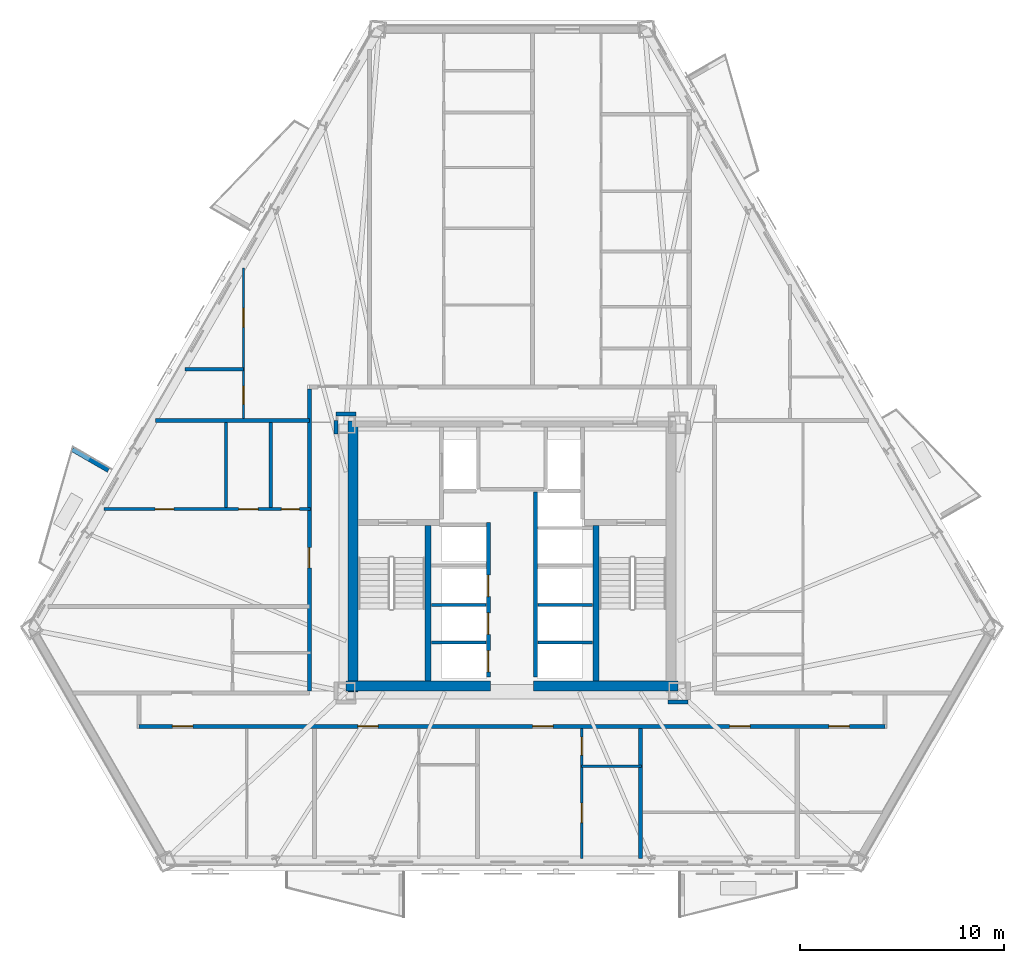
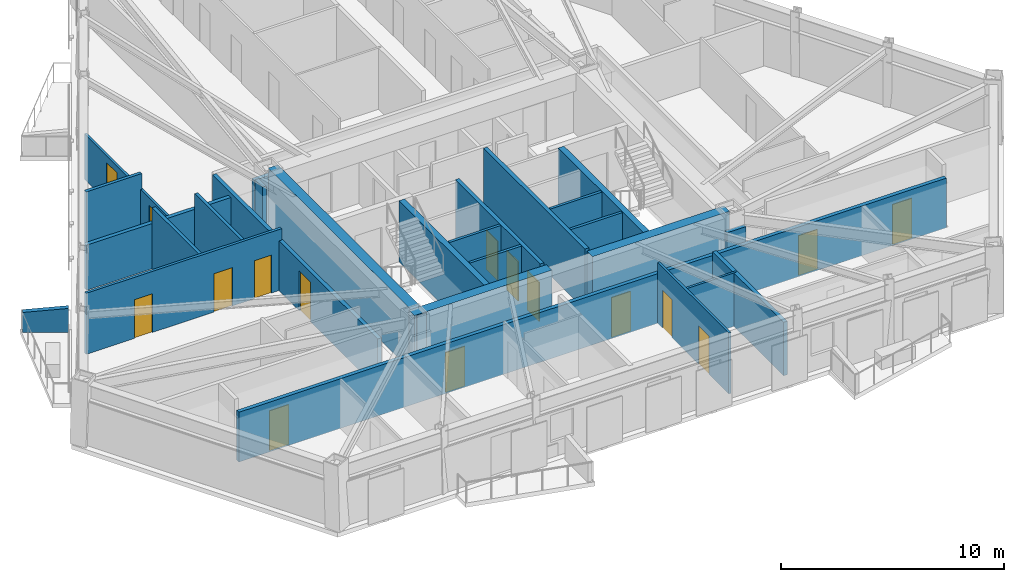
# One storey, part 3 of 10: 26 walls, 16 doors, 16 openings.
"""IFC4 building model written with IfcOpenShell, lengths in metres."""

from ifc_helpers import new_model, si_unit, direction, frame, frame_2d, origin, place, context, subcontext, project, spatial, polyline, rectangle, outline, extrude, material, layer, layer_set, type_object, element, fill, save


model = new_model("IFC4")

# Units and contexts
model_context = context("Model", 3, precision=1e-05, world=origin(), true_north=direction((0.0, 1.0)))
body_context = subcontext(model_context, "Body", "Model", "MODEL_VIEW")
ifc_project = project(units=[si_unit("LENGTHUNIT", "METRE"), si_unit("AREAUNIT", "SQUARE_METRE"), si_unit("VOLUMEUNIT", "CUBIC_METRE"), si_unit("PLANEANGLEUNIT", "RADIAN"), si_unit("MASSUNIT", "GRAM", prefix="KILO")], contexts=[model_context])

# Site, building, storey
site_placement = place(None, origin())
site = spatial("IfcSite", under=ifc_project, at=site_placement, CompositionType="ELEMENT")
building_placement = place(site_placement, origin())
building = spatial("IfcBuilding", under=site, at=building_placement, Name="Oramaril Tower", CompositionType="ELEMENT")
storey_placement = place(building_placement, frame((0.0, 0.0, 74.10009765625)))
storey = spatial("IfcBuildingStorey", under=building, at=storey_placement, Name="L19", CompositionType="ELEMENT", Elevation=74.10009765625)

# Walls
ifc_material_1 = material(Name="Concrete C40/50", Category="concrete")
ifc_layer_1 = layer(ifc_material_1, 0.22998046875)
ifc_layer_set_1 = layer_set([ifc_layer_1], Name="WT-PRP23")
wall_type_1 = type_object("IfcWallType", Name="WT-PRP23", PredefinedType="PARAPET", material=ifc_layer_set_1)
wall_1_placement = place(storey_placement, frame((17.69140625, 21.877685546875, 0.0), z_axis=(0.0, 0.0, 1.0), x_axis=(-0.866012356593, 0.500022597718, 0.0)))
element("IfcWall", 1, at=wall_1_placement, inside=storey, type_object=wall_type_1, Name="L19 Trapezoidal Balcony Frame Cheek L19-BAL-NW2-L", PredefinedType="PARAPET", context=body_context, shape_type="SweptSolid", body=[
    extrude(outline(polyline([(0.0, 0.0), (2.0419921875, 0.0), (2.0419921875, 1.099853515625), (0.0, 1.31982421875), (0.0, 0.0)])), frame((0.0, 0.114990234375, 0.0), z_axis=(0.0, -1.0, 0.0), x_axis=(1.0, 0.0, 0.0)), (0.0, 0.0, 1.0), 0.22998046875),
])
ifc_material_2 = material(Name="Acoustic Gypsum Board Partition")
ifc_layer_2 = layer(ifc_material_2, 0.1201171875)
ifc_layer_set_2 = layer_set([ifc_layer_2], Name="WT-PT12")
wall_type_2 = type_object("IfcWallType", Name="WT-PT12", PredefinedType="PARTITIONING", material=ifc_layer_set_2)
wall_2_placement = place(storey_placement, frame((40.919921875, 7.340087890625, 0.0), z_axis=(0.0, 0.0, 1.0), x_axis=(1.0, 0.0, 0.0)))
element("IfcWall", 2, at=wall_2_placement, inside=storey, type_object=wall_type_2, Name="L19 Interior Partition PT-12", PredefinedType="PARTITIONING", context=body_context, shape_type="SweptSolid", body=[
    extrude(rectangle(XDim=2.93017578125, YDim=0.1201171875, at=frame_2d((1.465087890625, 0.0))), origin(), (0.0, 0.0, 1.0), 2.92578125),
])

# Wall, openings, doors
wall_3_placement = place(storey_placement, frame((24.320068359375, 24.424072265625, 0.0), z_axis=(0.0, 0.0, 1.0), x_axis=(0.0, 1.0, 0.0)))
wall_3 = element("IfcWall", 3, at=wall_3_placement, inside=storey, type_object=wall_type_2, Name="L19 Interior Partition PT-12", PredefinedType="PARTITIONING", context=body_context, shape_type="SweptSolid", body=[
    extrude(rectangle(XDim=7.390625, YDim=0.1201171875, at=frame_2d((3.6953125, 0.0))), origin(), (0.0, 0.0, 1.0), 2.473876953125),
])
opening_1_placement = place(wall_3_placement, frame((0.700927734375, 0.0, 0.0)))
opening_1 = element("IfcOpeningElement", 4, at=opening_1_placement, cuts=wall_3, Name="Opening D-L19-18", PredefinedType="OPENING", context=body_context, shape_type="SweptSolid", body=[
    extrude(rectangle(XDim=0.8798828125, YDim=2.080078125, at=frame_2d((0.43994140625, 1.0400390625))), frame((0.0, 0.06005859375, 0.0), z_axis=(0.0, -1.0, 0.0), x_axis=(1.0, 0.0, 0.0)), (0.0, 0.0, 1.0), 0.1201171875),
])
opening_2_placement = place(wall_3_placement, frame((4.463134765625, 0.0, 0.0)))
opening_2 = element("IfcOpeningElement", 5, at=opening_2_placement, cuts=wall_3, Name="Opening D-L19-19", PredefinedType="OPENING", context=body_context, shape_type="SweptSolid", body=[
    extrude(rectangle(XDim=0.949951171875, YDim=2.10009765625, at=frame_2d((0.47509765625, 1.050048828125))), frame((0.0, 0.06005859375, 0.0), z_axis=(0.0, -1.0, 0.0), x_axis=(1.0, 0.0, 0.0)), (0.0, 0.0, 1.0), 0.1201171875),
])
ifc_material_3 = material(Name="FSC Brazilian Freijo Hardwood", Category="wood")
door_type_1 = type_object("IfcDoorType", Name="DT-BATH", OperationType="NOTDEFINED", PredefinedType="DOOR", material=ifc_material_3)
door_1_placement = place(opening_1_placement, origin())
door_1 = element("IfcDoor", 6, at=door_1_placement, inside=storey, type_object=door_type_1, Name="L19 Flat L19-U9 Bathroom Door D-L19-18", OperationType="SINGLE_SWING_RIGHT", OverallHeight=2.080078125, OverallWidth=0.8798828125, PredefinedType="DOOR", context=body_context, shape_type="SweptSolid", body=[
    extrude(rectangle(XDim=0.8798828125, YDim=2.080078125, at=frame_2d((0.43994140625, 1.0400390625))), frame((0.0, 0.02490234375, 0.0), z_axis=(0.0, -1.0, 0.0), x_axis=(1.0, 0.0, 0.0)), (0.0, 0.0, 1.0), 0.050048828125),
])
fill(opening_1, door_1)
ifc_material_4 = material(Name="FSC Brazilian Freijo Hardwood", Category="wood")
door_type_2 = type_object("IfcDoorType", Name="DT-STDY", OperationType="NOTDEFINED", PredefinedType="DOOR", material=ifc_material_4)
door_2_placement = place(opening_2_placement, origin())
door_2 = element("IfcDoor", 7, at=door_2_placement, inside=storey, type_object=door_type_2, Name="L19 Flat L19-U9 Kitchen Door D-L19-19", OperationType="SINGLE_SWING_LEFT", OverallHeight=2.10009765625, OverallWidth=0.949951171875, PredefinedType="DOOR", context=body_context, shape_type="SweptSolid", body=[
    extrude(rectangle(XDim=0.949951171875, YDim=2.10009765625, at=frame_2d((0.47509765625, 1.050048828125))), frame((0.0, 0.02490234375, 0.0), z_axis=(0.0, -1.0, 0.0), x_axis=(1.0, 0.0, 0.0)), (0.0, 0.0, 1.0), 0.050048828125),
])
fill(opening_2, door_2)

wall_4_placement = place(storey_placement, frame((40.919921875, 2.828369140625, 0.0), z_axis=(0.0, 0.0, 1.0), x_axis=(0.0, 1.0, 0.0)))
wall_4 = element("IfcWall", 8, at=wall_4_placement, inside=storey, type_object=wall_type_2, Name="L19 Interior Partition PT-12", PredefinedType="PARTITIONING", context=body_context, shape_type="SweptSolid", body=[
    extrude(rectangle(XDim=6.36767578125, YDim=0.1201171875, at=frame_2d((3.183837890625, 0.0))), origin(), (0.0, 0.0, 1.0), 3.33984375),
])
opening_3_placement = place(wall_4_placement, frame((1.753662109375, 0.0, 0.0)))
opening_3 = element("IfcOpeningElement", 9, at=opening_3_placement, cuts=wall_4, Name="Opening D-L19-30", PredefinedType="OPENING", context=body_context, shape_type="SweptSolid", body=[
    extrude(rectangle(XDim=0.949951171875, YDim=2.10009765625, at=frame_2d((0.47509765625, 1.050048828125))), frame((0.0, 0.06005859375, 0.0), z_axis=(0.0, -1.0, 0.0), x_axis=(1.0, 0.0, 0.0)), (0.0, 0.0, 1.0), 0.1201171875),
])
opening_4_placement = place(wall_4_placement, frame((5.06640625, 0.0, 0.0)))
opening_4 = element("IfcOpeningElement", 10, at=opening_4_placement, cuts=wall_4, Name="Opening D-L19-31", PredefinedType="OPENING", context=body_context, shape_type="SweptSolid", body=[
    extrude(rectangle(XDim=0.8798828125, YDim=2.080078125, at=frame_2d((0.43994140625, 1.0400390625))), frame((0.0, 0.06005859375, 0.0), z_axis=(0.0, -1.0, 0.0), x_axis=(1.0, 0.0, 0.0)), (0.0, 0.0, 1.0), 0.1201171875),
])
door_3_placement = place(opening_4_placement, origin())
door_3 = element("IfcDoor", 11, at=door_3_placement, inside=storey, type_object=door_type_1, Name="L19 Flat L19-U3 Bathroom Door D-L19-31", OperationType="SINGLE_SWING_LEFT", OverallHeight=2.080078125, OverallWidth=0.8798828125, PredefinedType="DOOR", context=body_context, shape_type="SweptSolid", body=[
    extrude(rectangle(XDim=0.8798828125, YDim=2.080078125, at=frame_2d((0.43994140625, 1.0400390625))), frame((0.0, 0.02490234375, 0.0), z_axis=(0.0, -1.0, 0.0), x_axis=(1.0, 0.0, 0.0)), (0.0, 0.0, 1.0), 0.050048828125),
])
fill(opening_4, door_3)
door_4_placement = place(opening_3_placement, origin())
door_4 = element("IfcDoor", 12, at=door_4_placement, inside=storey, type_object=door_type_2, Name="L19 Flat L19-U3 Kitchen Door D-L19-30", OperationType="SINGLE_SWING_RIGHT", OverallHeight=2.10009765625, OverallWidth=0.949951171875, PredefinedType="DOOR", context=body_context, shape_type="SweptSolid", body=[
    extrude(rectangle(XDim=0.949951171875, YDim=2.10009765625, at=frame_2d((0.47509765625, 1.050048828125))), frame((0.0, 0.02490234375, 0.0), z_axis=(0.0, -1.0, 0.0), x_axis=(1.0, 0.0, 0.0)), (0.0, 0.0, 1.0), 0.050048828125),
])
fill(opening_3, door_4)

# Walls
ifc_material_5 = material(Name="Acoustic Gypsum Board Partition")
ifc_layer_3 = layer(ifc_material_5, 0.139892578125)
ifc_layer_set_3 = layer_set([ifc_layer_3], Name="WT-PT14")
wall_type_3 = type_object("IfcWallType", Name="WT-PT14", PredefinedType="PARTITIONING", material=ifc_layer_set_3)
for number, where, z_axis, x_axis, name in (
    (13, (33.56005859375, 13.419921875, 0.0), (0.0, 0.0, 1.0), (1.0, 0.0, 0.0), "L19 West Lift Divider"),
    (14, (33.56005859375, 15.27001953125, 0.0), (0.0, 0.0, 1.0), (1.0, 0.0, 0.0), "L19 West Lift Divider"),
    (15, (38.780029296875, 13.419921875, 0.0), (0.0, 0.0, 1.0), (1.0, 0.0, 0.0), "L19 East Lift Divider"),
    (16, (38.780029296875, 15.27001953125, 0.0), (0.0, 0.0, 1.0), (1.0, 0.0, 0.0), "L19 East Lift Divider"),
):
    element("IfcWall", number, at=place(storey_placement, frame(where, z_axis=z_axis, x_axis=x_axis)), inside=storey, type_object=wall_type_3, Name=name, PredefinedType="PARTITIONING", context=body_context, shape_type="SweptSolid", body=[
        extrude(rectangle(XDim=2.659912109375, YDim=0.139892578125, at=frame_2d((1.330078125, 0.0))), origin(), (0.0, 0.0, 1.0), 3.33984375),
    ])

# Wall, openings, doors
wall_5_placement = place(storey_placement, frame((17.4814453125, 19.969970703125, 0.0), z_axis=(0.0, 0.0, 1.0), x_axis=(1.0, 0.0, 0.0)))
wall_5 = element("IfcWall", 17, at=wall_5_placement, inside=storey, type_object=wall_type_3, Name="L19 Interior Partition PT-14", PredefinedType="PARTITIONING", context=body_context, shape_type="SweptSolid", body=[
    extrude(rectangle(XDim=10.11865234375, YDim=0.139892578125, at=frame_2d((5.059326171875, 0.0))), origin(), (0.0, 0.0, 1.0), 3.33984375),
])
opening_5_placement = place(wall_5_placement, frame((2.4990234375, 0.0, 0.0)))
opening_5 = element("IfcOpeningElement", 18, at=opening_5_placement, cuts=wall_5, Name="Opening D-L19-10", PredefinedType="OPENING", context=body_context, shape_type="SweptSolid", body=[
    extrude(rectangle(XDim=0.919921875, YDim=2.1201171875, at=frame_2d((0.4599609375, 1.06005859375))), frame((0.0, 0.06982421875, 0.0), z_axis=(0.0, -1.0, 0.0), x_axis=(1.0, 0.0, 0.0)), (0.0, 0.0, 1.0), 0.139892578125),
])
opening_6_placement = place(wall_5_placement, frame((6.602294921875, 0.0, 0.0)))
opening_6 = element("IfcOpeningElement", 19, at=opening_6_placement, cuts=wall_5, Name="Opening D-L19-11", PredefinedType="OPENING", context=body_context, shape_type="SweptSolid", body=[
    extrude(rectangle(XDim=0.949951171875, YDim=2.10009765625, at=frame_2d((0.47509765625, 1.050048828125))), frame((0.0, 0.06982421875, 0.0), z_axis=(0.0, -1.0, 0.0), x_axis=(1.0, 0.0, 0.0)), (0.0, 0.0, 1.0), 0.139892578125),
])
opening_7_placement = place(wall_5_placement, frame((8.698486328125, 0.0, 0.0)))
opening_7 = element("IfcOpeningElement", 20, at=opening_7_placement, cuts=wall_5, Name="Opening D-L19-12", PredefinedType="OPENING", context=body_context, shape_type="SweptSolid", body=[
    extrude(rectangle(XDim=0.8798828125, YDim=2.080078125, at=frame_2d((0.43994140625, 1.0400390625))), frame((0.0, 0.06982421875, 0.0), z_axis=(0.0, -1.0, 0.0), x_axis=(1.0, 0.0, 0.0)), (0.0, 0.0, 1.0), 0.139892578125),
])
door_5_placement = place(opening_7_placement, origin())
door_5 = element("IfcDoor", 21, at=door_5_placement, inside=storey, type_object=door_type_1, Name="L19 Flat L19-U7 Bathroom Door D-L19-12", OperationType="SINGLE_SWING_RIGHT", OverallHeight=2.080078125, OverallWidth=0.8798828125, PredefinedType="DOOR", context=body_context, shape_type="SweptSolid", body=[
    extrude(rectangle(XDim=0.8798828125, YDim=2.080078125, at=frame_2d((0.43994140625, 1.0400390625))), frame((0.0, 0.02490234375, 0.0), z_axis=(0.0, -1.0, 0.0), x_axis=(1.0, 0.0, 0.0)), (0.0, 0.0, 1.0), 0.050048828125),
])
fill(opening_7, door_5)
ifc_material_6 = material(Name="FSC Brazilian Freijo Hardwood", Category="wood")
door_type_3 = type_object("IfcDoorType", Name="DT-BED", OperationType="NOTDEFINED", PredefinedType="DOOR", material=ifc_material_6)
door_6_placement = place(opening_5_placement, origin())
door_6 = element("IfcDoor", 22, at=door_6_placement, inside=storey, type_object=door_type_3, Name="L19 Flat L19-U7 Master Bedroom Door D-L19-10", OperationType="SINGLE_SWING_RIGHT", OverallHeight=2.1201171875, OverallWidth=0.919921875, PredefinedType="DOOR", context=body_context, shape_type="SweptSolid", body=[
    extrude(rectangle(XDim=0.919921875, YDim=2.1201171875, at=frame_2d((0.4599609375, 1.06005859375))), frame((0.0, 0.02490234375, 0.0), z_axis=(0.0, -1.0, 0.0), x_axis=(1.0, 0.0, 0.0)), (0.0, 0.0, 1.0), 0.050048828125),
])
fill(opening_5, door_6)
door_7_placement = place(opening_6_placement, origin())
door_7 = element("IfcDoor", 23, at=door_7_placement, inside=storey, type_object=door_type_2, Name="L19 Flat L19-U7 Kitchen Door D-L19-11", OperationType="SINGLE_SWING_LEFT", OverallHeight=2.10009765625, OverallWidth=0.949951171875, PredefinedType="DOOR", context=body_context, shape_type="SweptSolid", body=[
    extrude(rectangle(XDim=0.949951171875, YDim=2.10009765625, at=frame_2d((0.47509765625, 1.050048828125))), frame((0.0, 0.02490234375, 0.0), z_axis=(0.0, -1.0, 0.0), x_axis=(1.0, 0.0, 0.0)), (0.0, 0.0, 1.0), 0.050048828125),
])
fill(opening_6, door_7)

# Walls
ifc_material_7 = material(Name="Acoustic Gypsum Board Partition")
ifc_layer_4 = layer(ifc_material_7, 0.159912109375)
ifc_layer_set_4 = layer_set([ifc_layer_4], Name="WT-PT16")
wall_type_4 = type_object("IfcWallType", Name="WT-PT16", PredefinedType="PARTITIONING", material=ifc_layer_set_4)
wall_6_placement = place(storey_placement, frame((21.44775390625, 26.840087890625, 0.0), z_axis=(0.0, 0.0, 1.0), x_axis=(1.0, 0.0, 0.0)))
element("IfcWall", 24, at=wall_6_placement, inside=storey, type_object=wall_type_4, Name="L19 Interior Partition PT-16", PredefinedType="PARTITIONING", context=body_context, shape_type="SweptSolid", body=[
    extrude(rectangle(XDim=2.867431640625, YDim=0.159912109375, at=frame_2d((1.43359375, 0.0))), origin(), (0.0, 0.0, 1.0), 3.33984375),
])
for number, where, z_axis, x_axis, name in (
    (25, (23.4599609375, 20.0439453125, 0.0), (0.0, 0.0, 1.0), (0.0, 1.0, 0.0), "L19 Interior Partition PT-16"),
    (26, (25.659912109375, 20.0439453125, 0.0), (0.0, 0.0, 1.0), (0.0, 1.0, 0.0), "L19 Interior Partition PT-16"),
):
    element("IfcWall", number, at=place(storey_placement, frame(where, z_axis=z_axis, x_axis=x_axis)), inside=storey, type_object=wall_type_4, Name=name, PredefinedType="PARTITIONING", context=body_context, shape_type="SweptSolid", body=[
        extrude(rectangle(XDim=4.172119140625, YDim=0.159912109375, at=frame_2d((2.0859375, 0.0))), origin(), (0.0, 0.0, 1.0), 3.33984375),
    ])

# Wall, openings, doors
ifc_material_8 = material(Name="Autoclaved Cellular Concrete Block", Category="concrete")
ifc_layer_5 = layer(ifc_material_8, 0.199951171875)
ifc_layer_set_5 = layer_set([ifc_layer_5], Name="WT-PT20")
wall_type_5 = type_object("IfcWallType", Name="WT-PT20", PredefinedType="PARTITIONING", material=ifc_layer_set_5)
wall_7_placement = place(storey_placement, frame((19.199951171875, 9.300048828125, 0.0), z_axis=(0.0, 0.0, 1.0), x_axis=(1.0, 0.0, 0.0)))
wall_7 = element("IfcWall", 27, at=wall_7_placement, inside=storey, type_object=wall_type_5, Name="L19 Interior Partition PT-20", PredefinedType="PARTITIONING", context=body_context, shape_type="SweptSolid", body=[
    extrude(rectangle(XDim=36.60009765625, YDim=0.199951171875, at=frame_2d((18.300048828125, 0.0))), origin(), (0.0, 0.0, 1.0), 2.718017578125),
])
opening_8_placement = place(wall_7_placement, frame((1.634033203125, 0.0, 0.0)))
opening_8 = element("IfcOpeningElement", 28, at=opening_8_placement, cuts=wall_7, Name="Opening D-L19-03", PredefinedType="OPENING", context=body_context, shape_type="SweptSolid", body=[
    extrude(rectangle(XDim=1.0, YDim=2.179931640625, at=frame_2d((0.5, 1.08984375))), frame((0.0, 0.10009765625, 0.0), z_axis=(0.0, -1.0, 0.0), x_axis=(1.0, 0.0, 0.0)), (0.0, 0.0, 1.0), 0.199951171875),
])
opening_9_placement = place(wall_7_placement, frame((10.732666015625, 0.0, 0.0)))
opening_9 = element("IfcOpeningElement", 29, at=opening_9_placement, cuts=wall_7, Name="Opening D-L19-04", PredefinedType="OPENING", context=body_context, shape_type="SweptSolid", body=[
    extrude(rectangle(XDim=1.0, YDim=2.179931640625, at=frame_2d((0.5, 1.08984375))), frame((0.0, 0.10009765625, 0.0), z_axis=(0.0, -1.0, 0.0), x_axis=(1.0, 0.0, 0.0)), (0.0, 0.0, 1.0), 0.199951171875),
])
opening_10_placement = place(wall_7_placement, frame((19.31396484375, 0.0, 0.0)))
opening_10 = element("IfcOpeningElement", 30, at=opening_10_placement, cuts=wall_7, Name="Opening D-L19-05", PredefinedType="OPENING", context=body_context, shape_type="SweptSolid", body=[
    extrude(rectangle(XDim=1.0, YDim=2.179931640625, at=frame_2d((0.5, 1.08984375))), frame((0.0, 0.10009765625, 0.0), z_axis=(0.0, -1.0, 0.0), x_axis=(1.0, 0.0, 0.0)), (0.0, 0.0, 1.0), 0.199951171875),
])
opening_11_placement = place(wall_7_placement, frame((28.984619140625, 0.0, 0.0)))
opening_11 = element("IfcOpeningElement", 31, at=opening_11_placement, cuts=wall_7, Name="Opening D-L19-06", PredefinedType="OPENING", context=body_context, shape_type="SweptSolid", body=[
    extrude(rectangle(XDim=1.0, YDim=2.179931640625, at=frame_2d((0.5, 1.08984375))), frame((0.0, 0.10009765625, 0.0), z_axis=(0.0, -1.0, 0.0), x_axis=(1.0, 0.0, 0.0)), (0.0, 0.0, 1.0), 0.199951171875),
])
opening_12_placement = place(wall_7_placement, frame((33.856201171875, 0.0, 0.0)))
opening_12 = element("IfcOpeningElement", 32, at=opening_12_placement, cuts=wall_7, Name="Opening D-L19-07", PredefinedType="OPENING", context=body_context, shape_type="SweptSolid", body=[
    extrude(rectangle(XDim=1.0, YDim=2.179931640625, at=frame_2d((0.5, 1.08984375))), frame((0.0, 0.10009765625, 0.0), z_axis=(0.0, -1.0, 0.0), x_axis=(1.0, 0.0, 0.0)), (0.0, 0.0, 1.0), 0.199951171875),
])
ifc_material_9 = material(Name="FSC Brazilian Freijo Hardwood", Category="wood")
door_type_4 = type_object("IfcDoorType", Name="DT-APT", OperationType="NOTDEFINED", PredefinedType="DOOR", material=ifc_material_9)
door_8_placement = place(opening_8_placement, origin())
door_8 = element("IfcDoor", 33, at=door_8_placement, inside=storey, type_object=door_type_4, Name="L19 Flat L19-U1 Kitchen and Studio Apartment Door D-L19-03", OperationType="SINGLE_SWING_LEFT", OverallHeight=2.179931640625, OverallWidth=1.0, PredefinedType="DOOR", context=body_context, shape_type="SweptSolid", body=[
    extrude(rectangle(XDim=1.0, YDim=2.179931640625, at=frame_2d((0.5, 1.08984375))), frame((0.0, 0.02490234375, 0.0), z_axis=(0.0, -1.0, 0.0), x_axis=(1.0, 0.0, 0.0)), (0.0, 0.0, 1.0), 0.050048828125),
])
fill(opening_8, door_8)
door_9_placement = place(opening_9_placement, origin())
door_9 = element("IfcDoor", 34, at=door_9_placement, inside=storey, type_object=door_type_4, Name="L19 Flat L19-U2 Studio Apartment Door D-L19-04", OperationType="SINGLE_SWING_RIGHT", OverallHeight=2.179931640625, OverallWidth=1.0, PredefinedType="DOOR", context=body_context, shape_type="SweptSolid", body=[
    extrude(rectangle(XDim=1.0, YDim=2.179931640625, at=frame_2d((0.5, 1.08984375))), frame((0.0, 0.02490234375, 0.0), z_axis=(0.0, -1.0, 0.0), x_axis=(1.0, 0.0, 0.0)), (0.0, 0.0, 1.0), 0.050048828125),
])
fill(opening_9, door_9)
door_10_placement = place(opening_10_placement, origin())
door_10 = element("IfcDoor", 35, at=door_10_placement, inside=storey, type_object=door_type_4, Name="L19 Flat L19-U3 Studio Apartment Door D-L19-05", OperationType="SINGLE_SWING_LEFT", OverallHeight=2.179931640625, OverallWidth=1.0, PredefinedType="DOOR", context=body_context, shape_type="SweptSolid", body=[
    extrude(rectangle(XDim=1.0, YDim=2.179931640625, at=frame_2d((0.5, 1.08984375))), frame((0.0, 0.02490234375, 0.0), z_axis=(0.0, -1.0, 0.0), x_axis=(1.0, 0.0, 0.0)), (0.0, 0.0, 1.0), 0.050048828125),
])
fill(opening_10, door_10)
door_11_placement = place(opening_11_placement, origin())
door_11 = element("IfcDoor", 36, at=door_11_placement, inside=storey, type_object=door_type_4, Name="L19 Flat L19-U4 Kitchen and Studio Apartment Door D-L19-06", OperationType="SINGLE_SWING_RIGHT", OverallHeight=2.179931640625, OverallWidth=1.0, PredefinedType="DOOR", context=body_context, shape_type="SweptSolid", body=[
    extrude(rectangle(XDim=1.0, YDim=2.179931640625, at=frame_2d((0.5, 1.08984375))), frame((0.0, 0.02490234375, 0.0), z_axis=(0.0, -1.0, 0.0), x_axis=(1.0, 0.0, 0.0)), (0.0, 0.0, 1.0), 0.050048828125),
])
fill(opening_11, door_11)
door_12_placement = place(opening_12_placement, origin())
door_12 = element("IfcDoor", 37, at=door_12_placement, inside=storey, type_object=door_type_4, Name="L19 Flat L19-U5 Kitchen and Studio Apartment Door D-L19-07", OperationType="SINGLE_SWING_LEFT", OverallHeight=2.179931640625, OverallWidth=1.0, PredefinedType="DOOR", context=body_context, shape_type="SweptSolid", body=[
    extrude(rectangle(XDim=1.0, YDim=2.179931640625, at=frame_2d((0.5, 1.08984375))), frame((0.0, 0.02490234375, 0.0), z_axis=(0.0, -1.0, 0.0), x_axis=(1.0, 0.0, 0.0)), (0.0, 0.0, 1.0), 0.050048828125),
])
fill(opening_12, door_12)

# Walls
wall_8_placement = place(storey_placement, frame((45.159912109375, 10.510009765625, 0.0), z_axis=(0.0, 0.0, 1.0), x_axis=(1.0, 0.0, 0.0)))
element("IfcWall", 38, at=wall_8_placement, inside=storey, type_object=wall_type_5, Name="L19 Interior Partition PT-20", PredefinedType="PARTITIONING", context=body_context, shape_type="SweptSolid", body=[
    extrude(rectangle(XDim=0.97998046875, YDim=0.199951171875, at=frame_2d((0.489990234375, 0.0))), origin(), (0.0, 0.0, 1.0), 2.718017578125),
])
wall_9_placement = place(storey_placement, frame((19.992919921875, 24.320068359375, 0.0), z_axis=(0.0, 0.0, 1.0), x_axis=(1.0, 0.0, 0.0)))
element("IfcWall", 39, at=wall_9_placement, inside=storey, type_object=wall_type_5, Name="L19 Interior Partition PT-20", PredefinedType="PARTITIONING", context=body_context, shape_type="SweptSolid", body=[
    extrude(rectangle(XDim=7.55712890625, YDim=0.199951171875, at=frame_2d((3.778564453125, 0.0))), origin(), (0.0, 0.0, 1.0), 2.473876953125),
])
wall_10_placement = place(storey_placement, frame((28.85498046875, 24.639892578125, 0.0), z_axis=(0.0, 0.0, 1.0), x_axis=(1.0, 0.0, 0.0)))
element("IfcWall", 40, at=wall_10_placement, inside=storey, type_object=wall_type_5, Name="L19 Interior Partition PT-20", PredefinedType="PARTITIONING", context=body_context, shape_type="SweptSolid", body=[
    extrude(rectangle(XDim=0.989990234375, YDim=0.199951171875, at=frame_2d((0.4951171875, 0.0))), origin(), (0.0, 0.0, 1.0), 2.718017578125),
])

# Wall, opening, door
wall_11_placement = place(storey_placement, frame((27.550048828125, 11.053955078125, 0.0), z_axis=(0.0, 0.0, 1.0), x_axis=(0.0, 1.0, 0.0)))
wall_11 = element("IfcWall", 41, at=wall_11_placement, inside=storey, type_object=wall_type_5, Name="L19 Interior Partition PT-20", PredefinedType="PARTITIONING", context=body_context, shape_type="SweptSolid", body=[
    extrude(rectangle(XDim=14.81201171875, YDim=0.199951171875, at=frame_2d((7.406005859375, 0.0))), origin(), (0.0, 0.0, 1.0), 2.718017578125),
])
opening_13_placement = place(wall_11_placement, frame((6.031005859375, 0.0, 0.0)))
opening_13 = element("IfcOpeningElement", 42, at=opening_13_placement, cuts=wall_11, Name="Opening D-L19-21", PredefinedType="OPENING", context=body_context, shape_type="SweptSolid", body=[
    extrude(rectangle(XDim=1.0, YDim=2.179931640625, at=frame_2d((0.5, 1.08984375))), frame((0.0, 0.10009765625, 0.0), z_axis=(0.0, -1.0, 0.0), x_axis=(1.0, 0.0, 0.0)), (0.0, 0.0, 1.0), 0.199951171875),
])
door_13_placement = place(opening_13_placement, origin())
door_13 = element("IfcDoor", 43, at=door_13_placement, inside=storey, type_object=door_type_4, Name="L19 Flat L19-U7 Living and Dining Room Door D-L19-21", OperationType="SINGLE_SWING_LEFT", OverallHeight=2.179931640625, OverallWidth=1.0, PredefinedType="DOOR", context=body_context, shape_type="SweptSolid", body=[
    extrude(rectangle(XDim=1.0, YDim=2.179931640625, at=frame_2d((0.5, 1.08984375))), frame((0.0, 0.02490234375, 0.0), z_axis=(0.0, -1.0, 0.0), x_axis=(1.0, 0.0, 0.0)), (0.0, 0.0, 1.0), 0.050048828125),
])
fill(opening_13, door_13)

# Walls
wall_12_placement = place(storey_placement, frame((28.860107421875, 23.655029296875, 0.0), z_axis=(0.0, 0.0, 1.0), x_axis=(0.0, 1.0, 0.0)))
element("IfcWall", 44, at=wall_12_placement, inside=storey, type_object=wall_type_5, Name="L19 Interior Partition PT-20", PredefinedType="PARTITIONING", context=body_context, shape_type="SweptSolid", body=[
    extrude(rectangle(XDim=0.6650390625, YDim=0.199951171875, at=frame_2d((0.33251953125, 0.0))), origin(), (0.0, 0.0, 1.0), 2.92578125),
])
wall_13_placement = place(storey_placement, frame((43.800048828125, 2.828369140625, 0.0), z_axis=(0.0, 0.0, 1.0), x_axis=(0.0, 1.0, 0.0)))
element("IfcWall", 45, at=wall_13_placement, inside=storey, type_object=wall_type_5, Name="L19 Interior Partition PT-20", PredefinedType="PARTITIONING", context=body_context, shape_type="SweptSolid", body=[
    extrude(rectangle(XDim=6.36767578125, YDim=0.199951171875, at=frame_2d((3.183837890625, 0.0))), origin(), (0.0, 0.0, 1.0), 2.92578125),
])
ifc_material_10 = material(Name="Concrete C50/60", Category="concrete")
ifc_layer_6 = layer(ifc_material_10, 0.300048828125)
ifc_layer_set_6 = layer_set([ifc_layer_6], Name="WT-SH30")
wall_type_6 = type_object("IfcWallType", Name="WT-SH30", PredefinedType="SHEAR", material=ifc_layer_set_6)
for number, where, z_axis, x_axis, name in (
    (46, (33.3798828125, 11.5400390625, 0.0), (0.0, 0.0, 1.0), (0.0, 1.0, 0.0), "L19 Core Shear Wall CW-ST1E"),
    (47, (41.6201171875, 11.5400390625, 0.0), (0.0, 0.0, 1.0), (0.0, 1.0, 0.0), "L19 Core Shear Wall CW-ST2W"),
):
    element("IfcWall", number, at=place(storey_placement, frame(where, z_axis=z_axis, x_axis=x_axis)), inside=storey, type_object=wall_type_6, Name=name, PredefinedType="SHEAR", context=body_context, shape_type="SweptSolid", body=[
        extrude(rectangle(XDim=7.619873046875, YDim=0.300048828125, at=frame_2d((3.81005859375, 0.0))), origin(), (0.0, 0.0, 1.0), 3.33984375),
    ])
ifc_material_11 = material(Name="Concrete C50/60", Category="concrete")
ifc_layer_7 = layer(ifc_material_11, 0.5)
ifc_layer_set_7 = layer_set([ifc_layer_7], Name="WT-SH50")
wall_type_7 = type_object("IfcWallType", Name="WT-SH50", PredefinedType="SHEAR", material=ifc_layer_set_7)
wall_14_placement = place(storey_placement, frame((29.68994140625, 11.0, 0.0), z_axis=(0.0, 0.0, 1.0), x_axis=(0.0, 1.0, 0.0)))
element("IfcWall", 48, at=wall_14_placement, inside=storey, type_object=wall_type_7, Name="L19 Core Shear Wall CW-W", PredefinedType="SHEAR", context=body_context, shape_type="SweptSolid", body=[
    extrude(rectangle(XDim=13.300048828125, YDim=0.5, at=frame_2d((6.64990234375, 0.0))), origin(), (0.0, 0.0, 1.0), 3.33984375),
])
for number, where, z_axis, x_axis, name in (
    (49, (29.35009765625, 11.2900390625, 0.0), (0.0, 0.0, 1.0), (1.0, 0.0, 0.0), "L19 Core Shear Wall CW-SW"),
    (50, (38.550048828125, 11.2900390625, 0.0), (0.0, 0.0, 1.0), (1.0, 0.0, 0.0), "L19 Core Shear Wall CW-SE"),
):
    element("IfcWall", number, at=place(storey_placement, frame(where, z_axis=z_axis, x_axis=x_axis)), inside=storey, type_object=wall_type_7, Name=name, PredefinedType="SHEAR", context=body_context, shape_type="SweptSolid", body=[
        extrude(rectangle(XDim=7.099853515625, YDim=0.5, at=frame_2d((3.5498046875, 0.0))), origin(), (0.0, 0.0, 1.0), 3.33984375),
    ])

# Wall, openings, doors
ifc_material_12 = material(Name="Autoclaved Cellular Concrete Block", Category="concrete")
ifc_layer_8 = layer(ifc_material_12, 0.199951171875)
ifc_layer_set_8 = layer_set([ifc_layer_8], Name="WT-SHF20")
wall_type_8 = type_object("IfcWallType", Name="WT-SHF20", PredefinedType="PARTITIONING", material=ifc_layer_set_8)
wall_15_placement = place(storey_placement, frame((36.340087890625, 11.719970703125, 0.0), z_axis=(0.0, 0.0, 1.0), x_axis=(0.0, 1.0, 0.0)))
wall_15 = element("IfcWall", 51, at=wall_15_placement, inside=storey, type_object=wall_type_8, Name="L19 West Lift Bank Front Wall", PredefinedType="PARTITIONING", context=body_context, shape_type="SweptSolid", body=[
    extrude(rectangle(XDim=7.60009765625, YDim=0.199951171875, at=frame_2d((3.800048828125, 0.0))), origin(), (0.0, 0.0, 1.0), 3.33984375),
])
opening_14_placement = place(wall_15_placement, frame((0.2548828125, 0.0, 0.0)))
opening_14 = element("IfcOpeningElement", 52, at=opening_14_placement, cuts=wall_15, Name="Opening LD-L19-LP-L1", PredefinedType="OPENING", context=body_context, shape_type="SweptSolid", body=[
    extrude(rectangle(XDim=1.050048828125, YDim=2.14990234375, at=frame_2d((0.52490234375, 1.074951171875))), frame((0.0, 0.10009765625, 0.0), z_axis=(0.0, -1.0, 0.0), x_axis=(1.0, 0.0, 0.0)), (0.0, 0.0, 1.0), 0.199951171875),
])
opening_15_placement = place(wall_15_placement, frame((2.10498046875, 0.0, 0.0)))
opening_15 = element("IfcOpeningElement", 53, at=opening_15_placement, cuts=wall_15, Name="Opening LD-L19-LP-L2", PredefinedType="OPENING", context=body_context, shape_type="SweptSolid", body=[
    extrude(rectangle(XDim=1.050048828125, YDim=2.14990234375, at=frame_2d((0.52490234375, 1.074951171875))), frame((0.0, 0.10009765625, 0.0), z_axis=(0.0, -1.0, 0.0), x_axis=(1.0, 0.0, 0.0)), (0.0, 0.0, 1.0), 0.199951171875),
])
opening_16_placement = place(wall_15_placement, frame((3.955078125, 0.0, 0.0)))
opening_16 = element("IfcOpeningElement", 54, at=opening_16_placement, cuts=wall_15, Name="Opening LD-L19-LP-L3", PredefinedType="OPENING", context=body_context, shape_type="SweptSolid", body=[
    extrude(rectangle(XDim=1.050048828125, YDim=2.14990234375, at=frame_2d((0.52490234375, 1.074951171875))), frame((0.0, 0.10009765625, 0.0), z_axis=(0.0, -1.0, 0.0), x_axis=(1.0, 0.0, 0.0)), (0.0, 0.0, 1.0), 0.199951171875),
])
ifc_material_13 = material(Name="Stainless Steel 316L", Category="steel")
door_type_5 = type_object("IfcDoorType", Name="DT-LD2", OperationType="NOTDEFINED", PredefinedType="DOOR", material=ifc_material_13)
door_14_placement = place(opening_14_placement, origin())
door_14 = element("IfcDoor", 55, at=door_14_placement, inside=storey, type_object=door_type_5, Name="L19 Lift LP-L1 Sliding Landing Door", OperationType="SLIDING_TO_LEFT", OverallHeight=2.14990234375, OverallWidth=1.050048828125, PredefinedType="DOOR", context=body_context, shape_type="SweptSolid", body=[
    extrude(rectangle(XDim=1.050048828125, YDim=2.14990234375, at=frame_2d((0.52490234375, 1.074951171875))), frame((0.0, 0.02490234375, 0.0), z_axis=(0.0, -1.0, 0.0), x_axis=(1.0, 0.0, 0.0)), (0.0, 0.0, 1.0), 0.050048828125),
])
fill(opening_14, door_14)
door_15_placement = place(opening_15_placement, origin())
door_15 = element("IfcDoor", 56, at=door_15_placement, inside=storey, type_object=door_type_5, Name="L19 Lift LP-L2 Sliding Landing Door", OperationType="SLIDING_TO_RIGHT", OverallHeight=2.14990234375, OverallWidth=1.050048828125, PredefinedType="DOOR", context=body_context, shape_type="SweptSolid", body=[
    extrude(rectangle(XDim=1.050048828125, YDim=2.14990234375, at=frame_2d((0.52490234375, 1.074951171875))), frame((0.0, 0.02490234375, 0.0), z_axis=(0.0, -1.0, 0.0), x_axis=(1.0, 0.0, 0.0)), (0.0, 0.0, 1.0), 0.050048828125),
])
fill(opening_15, door_15)
door_16_placement = place(opening_16_placement, origin())
door_16 = element("IfcDoor", 57, at=door_16_placement, inside=storey, type_object=door_type_5, Name="L19 Lift LP-L3 Sliding Landing Door", OperationType="SLIDING_TO_LEFT", OverallHeight=2.14990234375, OverallWidth=1.050048828125, PredefinedType="DOOR", context=body_context, shape_type="SweptSolid", body=[
    extrude(rectangle(XDim=1.050048828125, YDim=2.14990234375, at=frame_2d((0.52490234375, 1.074951171875))), frame((0.0, 0.02490234375, 0.0), z_axis=(0.0, -1.0, 0.0), x_axis=(1.0, 0.0, 0.0)), (0.0, 0.0, 1.0), 0.050048828125),
])
fill(opening_16, door_16)

# Wall
wall_16_placement = place(storey_placement, frame((38.659912109375, 11.719970703125, 0.0), z_axis=(0.0, 0.0, 1.0), x_axis=(0.0, 1.0, 0.0)))
element("IfcWall", 58, at=wall_16_placement, inside=storey, type_object=wall_type_8, Name="L19 East Lift Bank Front Wall", PredefinedType="PARTITIONING", context=body_context, shape_type="SweptSolid", body=[
    extrude(rectangle(XDim=9.10009765625, YDim=0.199951171875, at=frame_2d((4.550048828125, 0.0))), origin(), (0.0, 0.0, 1.0), 3.33984375),
])

save(model, "model.ifc")
